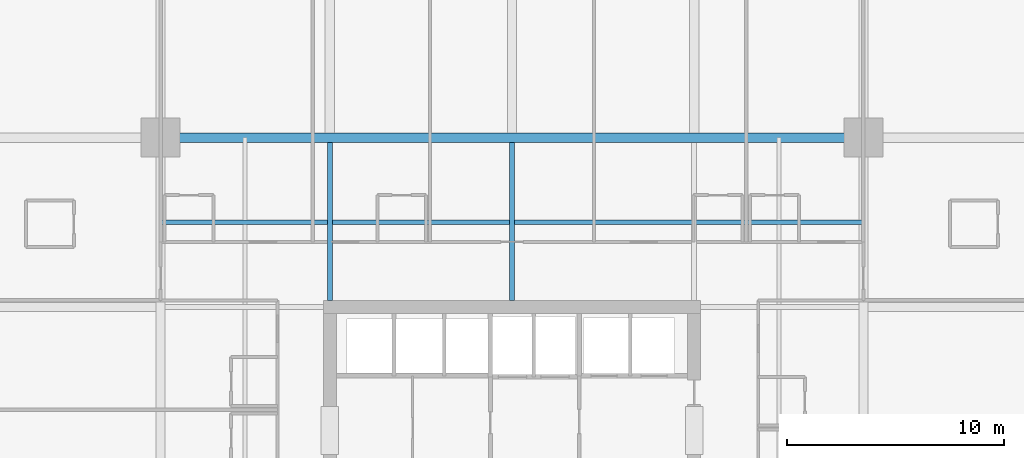
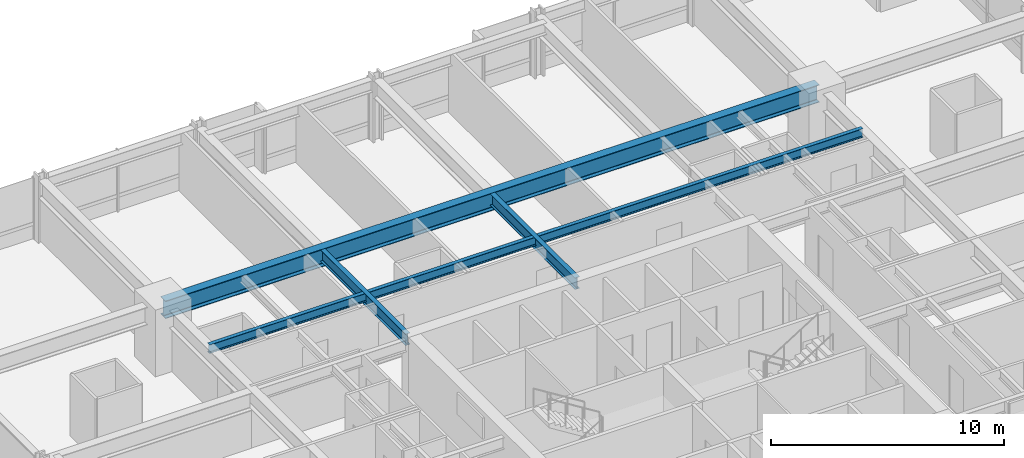
# One storey, part 20 of 39: 4 beams.
"""IFC4 building model written with IfcOpenShell, lengths in metres."""

import ifcopenshell
import ifcopenshell.guid

model = None  # the IFC model being written
_history = None  # IfcOwnerHistory: only IFC2X3 demands one
_inside = {}  # id of a spatial element -> (the spatial element, [elements in it])
_under = {}  # id of a project, library or spatial element -> (it, [spatial elements below it])
_declared = {}  # id of a project -> (the project, [libraries it declares])
_typed = {}  # id of a type object -> (the type object, [elements of that type])
_made_of = {}  # id of a material, layer set ... -> (it, [elements and type objects made of it])


def new_model(schema):
    """Start an empty IFC model of exactly this schema.

    Asked for "IFC4X3", IfcOpenShell would pick the latest addendum, in which some entities
    have other attributes; the version numbers below select the first issue.
    IFC2X3 requires an IfcOwnerHistory on every rooted entity: one is made here for all.
    """
    global model, _history
    if schema == "IFC4X3":
        model = ifcopenshell.file(schema_version=(4, 3, 0, 0))
    else:
        model = ifcopenshell.file(schema=schema)
    _inside.clear()
    _under.clear()
    _declared.clear()
    _typed.clear()
    _made_of.clear()
    _history = None
    if model.schema == "IFC2X3":
        org = make("IfcOrganization", Name="unknown")
        user = make(
            "IfcPersonAndOrganization",
            ThePerson=make("IfcPerson", FamilyName="unknown"),
            TheOrganization=org,
        )
        app = make(
            "IfcApplication",
            ApplicationDeveloper=org,
            Version="unknown",
            ApplicationFullName="unknown",
            ApplicationIdentifier="unknown",
        )
        _history = make(
            "IfcOwnerHistory",
            OwningUser=user,
            OwningApplication=app,
            ChangeAction="ADDED",
            CreationDate=0,
        )
    return model


def make(cls, **values):
    """One entity of the class cls with the attributes given. An attribute that is None is left unset."""
    return model.create_entity(
        cls, **{name: value for name, value in values.items() if value is not None}
    )


def rooted(cls, **values):
    """An entity with a GlobalId (a new one), such as an element, a storey or a relation."""
    return make(cls, GlobalId=ifcopenshell.guid.new(), OwnerHistory=_history, **values)


def si_unit(unit_type, name, prefix=None):
    """IfcSIUnit, for example si_unit("LENGTHUNIT", "METRE", prefix="MILLI")."""
    return make("IfcSIUnit", UnitType=unit_type, Prefix=prefix, Name=name)


def assignment(units):
    """IfcUnitAssignment: the units of a project."""
    return None if units is None else make("IfcUnitAssignment", Units=units)


def point(xyz):
    """IfcCartesianPoint."""
    return None if xyz is None else make("IfcCartesianPoint", Coordinates=xyz)


def direction(xyz):
    """IfcDirection."""
    return None if xyz is None else make("IfcDirection", DirectionRatios=xyz)


def frame(location, z_axis=None, x_axis=None):
    """IfcAxis2Placement3D, a coordinate frame: its origin and axes. An axis left out is left unset."""
    return make(
        "IfcAxis2Placement3D",
        Location=point(location),
        Axis=direction(z_axis),
        RefDirection=direction(x_axis),
    )


def frame_2d(location, x_axis=None):
    """IfcAxis2Placement2D, a coordinate frame in the plane: its origin and x axis."""
    return make(
        "IfcAxis2Placement2D", Location=point(location), RefDirection=direction(x_axis)
    )


def origin():
    """The frame at (0, 0, 0) with its axes left unset."""
    return frame((0.0, 0.0, 0.0))


def origin_2d():
    """The frame at (0, 0) in the plane with its x axis left unset."""
    return frame_2d((0.0, 0.0))


def place(relative_to, where):
    """IfcLocalPlacement: puts the frame where relative to a parent placement (None: the world)."""
    return make(
        "IfcLocalPlacement", PlacementRelTo=relative_to, RelativePlacement=where
    )


def context(
    kind, dimensions, precision=None, world=None, true_north=None, identifier=None
):
    """IfcGeometricRepresentationContext, for example the 3D "Model" context."""
    return make(
        "IfcGeometricRepresentationContext",
        ContextIdentifier=identifier,
        ContextType=kind,
        CoordinateSpaceDimension=dimensions,
        Precision=precision,
        WorldCoordinateSystem=world,
        TrueNorth=true_north,
    )


def subcontext(parent, identifier, kind, view, scale=None):
    """IfcGeometricRepresentationSubContext, for example "Body" below "Model"."""
    return make(
        "IfcGeometricRepresentationSubContext",
        ContextIdentifier=identifier,
        ContextType=kind,
        ParentContext=parent,
        TargetScale=scale,
        TargetView=view,
    )


def project(units=None, contexts=None):
    """IfcProject with its units and contexts."""
    return rooted(
        "IfcProject",
        Name="project",
        RepresentationContexts=contexts,
        UnitsInContext=assignment(units),
    )


def spatial(cls, under=None, at=None, **own):
    """A site, building, storey or space (cls), placed at a placement, below another one or the project."""
    s = rooted(cls, ObjectPlacement=at, **own)
    if under is not None:
        _under.setdefault(under.id(), (under, []))[1].append(s)
    return s


def profile(cls, at=None, kind="AREA", **sizes):
    """A parametric profile (cls). Its sizes go by their IFC names, for example OverallWidth=200.0."""
    return make(cls, ProfileType=kind, Position=at, **sizes)


def i_section(**sizes):
    """IfcIShapeProfileDef."""
    return profile("IfcIShapeProfileDef", **sizes)


def extrude(swept, where, along, depth):
    """IfcExtrudedAreaSolid: the profile swept, set in the frame where, extruded along a direction by depth."""
    return make(
        "IfcExtrudedAreaSolid",
        SweptArea=swept,
        Position=where,
        ExtrudedDirection=direction(along),
        Depth=depth,
    )


def shape(context_of_items, identifier, shape_type, items):
    """IfcShapeRepresentation: the items that make up one representation, for example the "Body"."""
    return make(
        "IfcShapeRepresentation",
        ContextOfItems=context_of_items,
        RepresentationIdentifier=identifier,
        RepresentationType=shape_type,
        Items=items,
    )


def material(Name=None, Category=None):
    """IfcMaterial."""
    return make("IfcMaterial", Name=Name, Category=Category)


def material_profile(
    of_material, cross_section, Name=None, Category=None, Priority=None
):
    """IfcMaterialProfile: a cross section and its material."""
    return make(
        "IfcMaterialProfile",
        Name=Name,
        Material=of_material,
        Profile=cross_section,
        Priority=Priority,
        Category=Category,
    )


def profile_set(profiles, Name=None, composite=None):
    """IfcMaterialProfileSet."""
    return make(
        "IfcMaterialProfileSet",
        Name=Name,
        MaterialProfiles=profiles,
        CompositeProfile=composite,
    )


def made_of(thing, what):
    """Note that an element or type object is made of a material, layer set ...; save() writes the relation."""
    if what is not None:
        _made_of.setdefault(what.id(), (what, []))[1].append(thing)
    return thing


def type_object(cls, material=None, **own):
    """A type object (cls), such as IfcWallType, which elements share."""
    return made_of(rooted(cls, **own), material)


def element(
    cls,
    number,
    at=None,
    inside=None,
    cuts=None,
    type_object=None,
    material=None,
    context=None,
    identifier="Body",
    shape_type=None,
    held_by="IfcProductDefinitionShape",
    body=None,
    shapes=None,
    **own,
):
    """One element of the class cls, such as IfcWall. Its Tag is "e" and its number.

    at: its placement. inside: the storey or other place that contains it. cuts: it is an
    opening in that element (IfcRelVoidsElement). A single representation is given by context,
    identifier, shape_type and body (its items); several are given by shapes. held_by: the class
    of the entity that holds the representations. save() writes the other relations.
    """
    e = rooted(cls, Tag="e%d" % number, ObjectPlacement=at, **own)
    if body is not None:
        shapes = [shape(context, identifier, shape_type, body)]
    if shapes is not None:
        e.Representation = make(held_by, Representations=shapes)
    if inside is not None:
        _inside.setdefault(inside.id(), (inside, []))[1].append(e)
    if cuts is not None:
        rooted(
            "IfcRelVoidsElement", RelatingBuildingElement=cuts, RelatedOpeningElement=e
        )
    if type_object is not None:
        _typed.setdefault(type_object.id(), (type_object, []))[1].append(e)
    return made_of(e, material)


def aggregate(whole, parts):
    """IfcRelAggregates: a whole, such as a stair, and the parts it consists of."""
    return rooted("IfcRelAggregates", RelatingObject=whole, RelatedObjects=parts)


def save(model, path):
    """Write the relations noted so far, then the file.

    IfcRelAggregates (storeys below a building ...), IfcRelContainedInSpatialStructure (elements
    in a storey), IfcRelDefinesByType, IfcRelAssociatesMaterial and IfcRelDeclares: one each for
    every whole, place, type object, material and project.
    """
    for whole, parts in _under.values():
        aggregate(whole, parts)
    for where, things in _inside.values():
        rooted(
            "IfcRelContainedInSpatialStructure",
            RelatedElements=things,
            RelatingStructure=where,
        )
    for kind, things in _typed.values():
        rooted("IfcRelDefinesByType", RelatedObjects=things, RelatingType=kind)
    for what, things in _made_of.values():
        rooted("IfcRelAssociatesMaterial", RelatedObjects=things, RelatingMaterial=what)
    for by, libraries in _declared.values():
        rooted("IfcRelDeclares", RelatingContext=by, RelatedDefinitions=libraries)
    model.write(path)


model = new_model("IFC4")

# Units and contexts
model_context = context("Model", 3, precision=1e-05, world=origin(), true_north=direction((0.0, 1.0)))
body_context = subcontext(model_context, "Body", "Model", "MODEL_VIEW")
ifc_project = project(units=[si_unit("LENGTHUNIT", "METRE"), si_unit("AREAUNIT", "SQUARE_METRE"), si_unit("VOLUMEUNIT", "CUBIC_METRE"), si_unit("PLANEANGLEUNIT", "RADIAN"), si_unit("MASSUNIT", "GRAM", prefix="KILO")], contexts=[model_context])

# Site, building, storey
site_placement = place(None, origin())
site = spatial("IfcSite", under=ifc_project, at=site_placement, CompositionType="ELEMENT")
building_placement = place(site_placement, origin())
building = spatial("IfcBuilding", under=site, at=building_placement, Name="Drelvath Grand Hotel", CompositionType="ELEMENT")
storey_placement = place(building_placement, frame((0.0, 0.0, 54.199951171875)))
storey = spatial("IfcBuildingStorey", under=building, at=storey_placement, Name="L12", CompositionType="ELEMENT", Elevation=54.199951171875)

# Beams
ifc_material = material(Name="Steel ASTM A992 Gr 50", Category="steel")
ifc_material_profile_1 = material_profile(ifc_material, i_section(OverallWidth=0.19140625, OverallDepth=0.4599609375, WebThickness=0.010009765625, FlangeThickness=0.01611328125, FilletRadius=0.01611328125, at=origin_2d()), Name="W18X55")
ifc_profile_set_1 = profile_set([ifc_material_profile_1], Name="Steel ASTM A992 Gr 50")
beam_type_1 = type_object("IfcBeamType", Name="Composite Floor Joist W18X55", PredefinedType="JOIST", material=ifc_profile_set_1)
beam_1_placement = place(storey_placement, frame((-16.199951171875, 39.300048828125, 3.010009765625), z_axis=(1.0, 0.0, 0.0), x_axis=(0.0, 1.0, 0.0)))
element("IfcBeam", 1, at=beam_1_placement, inside=storey, type_object=beam_type_1, Name="L12 Floor Joist J2", PredefinedType="JOIST", context=body_context, shape_type="SweptSolid", body=[
    extrude(i_section(OverallWidth=0.19140625, OverallDepth=0.4599609375, WebThickness=0.010009765625, FlangeThickness=0.01611328125, FilletRadius=0.01611328125, at=origin_2d()), origin(), (0.0, 0.0, 1.0), 32.39990234375),
])
ifc_material_profile_2 = material_profile(ifc_material, i_section(OverallWidth=0.228271484375, OverallDepth=0.607666015625, WebThickness=0.01123046875, FlangeThickness=0.017333984375, FilletRadius=0.02001953125, at=origin_2d()), Name="W24X76")
ifc_profile_set_2 = profile_set([ifc_material_profile_2], Name="Steel ASTM A992 Gr 50")
beam_type_2 = type_object("IfcBeamType", Name="Primary Floor Girder W24X76", PredefinedType="BEAM", material=ifc_profile_set_2)
for number, where, z_axis, x_axis, name in (
    (2, (-8.39990234375, 35.699951171875, 2.936279296875), (0.0, 1.0, 0.0), (-1.0, 0.0, 0.0), "L12 North Core Tie 4"),
    (3, (0.0, 35.699951171875, 2.936279296875), (0.0, 1.0, 0.0), (-1.0, 0.0, 0.0), "L12 North Core Tie 5"),
):
    element("IfcBeam", number, at=place(storey_placement, frame(where, z_axis=z_axis, x_axis=x_axis)), inside=storey, type_object=beam_type_2, Name=name, PredefinedType="BEAM", context=body_context, shape_type="SweptSolid", body=[
        extrude(i_section(OverallWidth=0.228271484375, OverallDepth=0.607666015625, WebThickness=0.01123046875, FlangeThickness=0.017333984375, FilletRadius=0.02001953125, at=origin_2d()), origin(), (0.0, 0.0, 1.0), 7.290771484375),
    ])
ifc_material_profile_3 = material_profile(ifc_material, i_section(OverallWidth=0.418212890625, OverallDepth=0.926513671875, WebThickness=0.019287109375, FlangeThickness=0.031982421875, FilletRadius=0.028076171875, at=origin_2d()), Name="W36X231")
ifc_profile_set_3 = profile_set([ifc_material_profile_3], Name="Steel ASTM A992 Gr 50")
beam_type_3 = type_object("IfcBeamType", Name="Primary Floor Girder W36X231", PredefinedType="BEAM", material=ifc_profile_set_3)
beam_2_placement = place(storey_placement, frame((-16.199951171875, 43.199951171875, 2.77685546875), z_axis=(1.0, 0.0, 0.0), x_axis=(0.0, 1.0, 0.0)))
element("IfcBeam", 4, at=beam_2_placement, inside=storey, type_object=beam_type_3, Name="L12 Mega Ring Girder North", PredefinedType="BEAM", context=body_context, shape_type="SweptSolid", body=[
    extrude(i_section(OverallWidth=0.418212890625, OverallDepth=0.926513671875, WebThickness=0.019287109375, FlangeThickness=0.031982421875, FilletRadius=0.028076171875, at=origin_2d()), origin(), (0.0, 0.0, 1.0), 32.39990234375),
])

save(model, "model.ifc")
